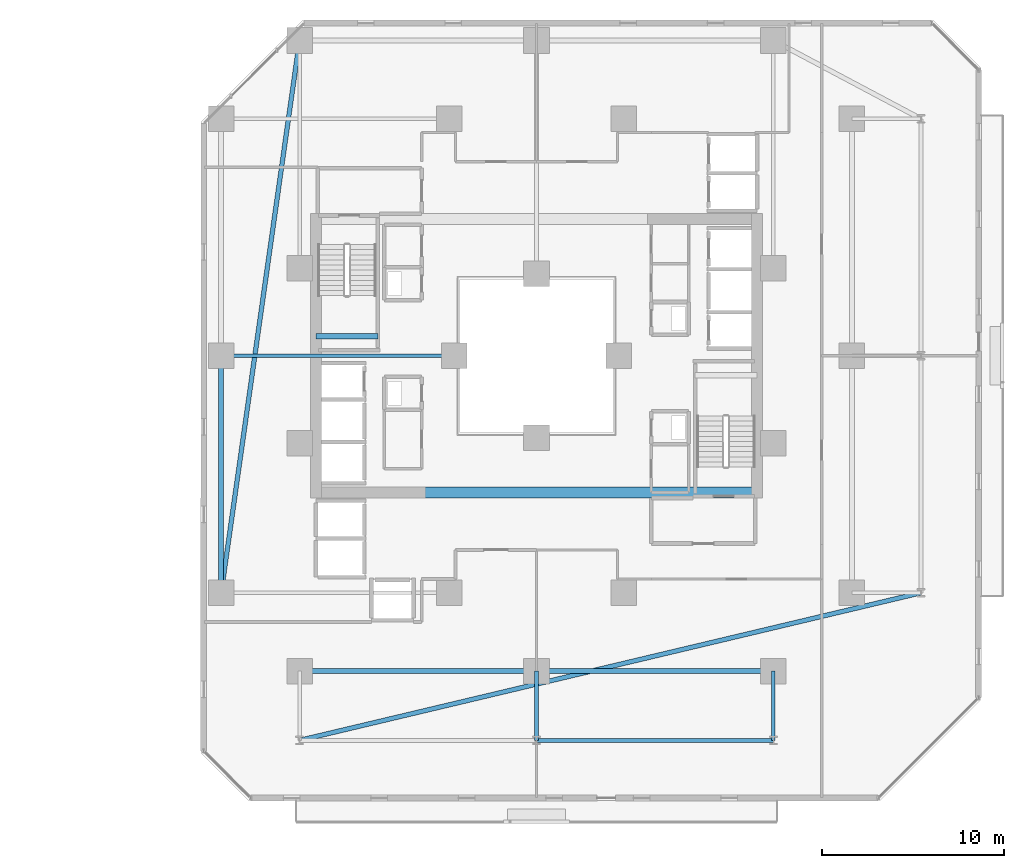
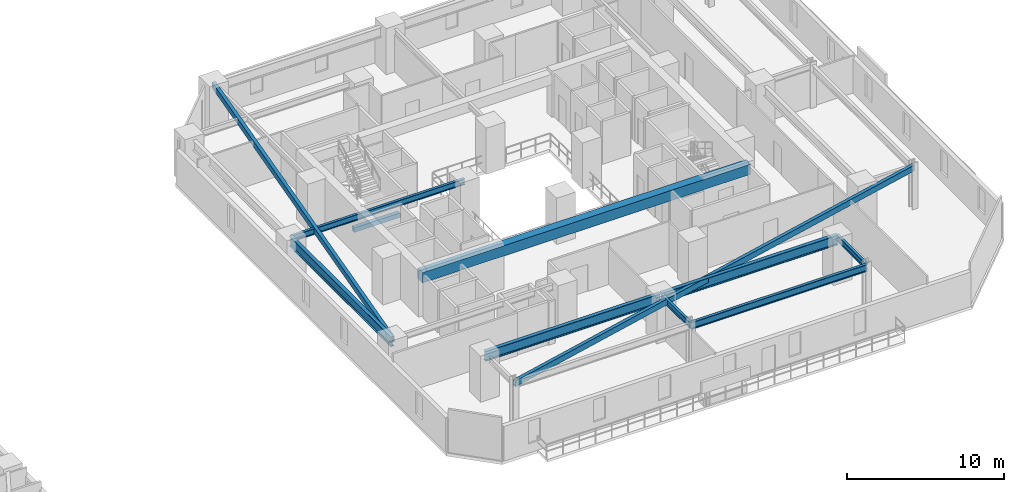
# One storey, part 11 of 33: 11 beams.
"""IFC4 building model written with IfcOpenShell, lengths in metres."""

import ifcopenshell
import ifcopenshell.guid

model = None  # the IFC model being written
_history = None  # IfcOwnerHistory: only IFC2X3 demands one
_inside = {}  # id of a spatial element -> (the spatial element, [elements in it])
_under = {}  # id of a project, library or spatial element -> (it, [spatial elements below it])
_declared = {}  # id of a project -> (the project, [libraries it declares])
_typed = {}  # id of a type object -> (the type object, [elements of that type])
_made_of = {}  # id of a material, layer set ... -> (it, [elements and type objects made of it])


def new_model(schema):
    """Start an empty IFC model of exactly this schema.

    Asked for "IFC4X3", IfcOpenShell would pick the latest addendum, in which some entities
    have other attributes; the version numbers below select the first issue.
    IFC2X3 requires an IfcOwnerHistory on every rooted entity: one is made here for all.
    """
    global model, _history
    if schema == "IFC4X3":
        model = ifcopenshell.file(schema_version=(4, 3, 0, 0))
    else:
        model = ifcopenshell.file(schema=schema)
    _inside.clear()
    _under.clear()
    _declared.clear()
    _typed.clear()
    _made_of.clear()
    _history = None
    if model.schema == "IFC2X3":
        org = make("IfcOrganization", Name="unknown")
        user = make(
            "IfcPersonAndOrganization",
            ThePerson=make("IfcPerson", FamilyName="unknown"),
            TheOrganization=org,
        )
        app = make(
            "IfcApplication",
            ApplicationDeveloper=org,
            Version="unknown",
            ApplicationFullName="unknown",
            ApplicationIdentifier="unknown",
        )
        _history = make(
            "IfcOwnerHistory",
            OwningUser=user,
            OwningApplication=app,
            ChangeAction="ADDED",
            CreationDate=0,
        )
    return model


def make(cls, **values):
    """One entity of the class cls with the attributes given. An attribute that is None is left unset."""
    return model.create_entity(
        cls, **{name: value for name, value in values.items() if value is not None}
    )


def rooted(cls, **values):
    """An entity with a GlobalId (a new one), such as an element, a storey or a relation."""
    return make(cls, GlobalId=ifcopenshell.guid.new(), OwnerHistory=_history, **values)


def si_unit(unit_type, name, prefix=None):
    """IfcSIUnit, for example si_unit("LENGTHUNIT", "METRE", prefix="MILLI")."""
    return make("IfcSIUnit", UnitType=unit_type, Prefix=prefix, Name=name)


def assignment(units):
    """IfcUnitAssignment: the units of a project."""
    return None if units is None else make("IfcUnitAssignment", Units=units)


def point(xyz):
    """IfcCartesianPoint."""
    return None if xyz is None else make("IfcCartesianPoint", Coordinates=xyz)


def direction(xyz):
    """IfcDirection."""
    return None if xyz is None else make("IfcDirection", DirectionRatios=xyz)


def frame(location, z_axis=None, x_axis=None):
    """IfcAxis2Placement3D, a coordinate frame: its origin and axes. An axis left out is left unset."""
    return make(
        "IfcAxis2Placement3D",
        Location=point(location),
        Axis=direction(z_axis),
        RefDirection=direction(x_axis),
    )


def frame_2d(location, x_axis=None):
    """IfcAxis2Placement2D, a coordinate frame in the plane: its origin and x axis."""
    return make(
        "IfcAxis2Placement2D", Location=point(location), RefDirection=direction(x_axis)
    )


def origin():
    """The frame at (0, 0, 0) with its axes left unset."""
    return frame((0.0, 0.0, 0.0))


def origin_2d():
    """The frame at (0, 0) in the plane with its x axis left unset."""
    return frame_2d((0.0, 0.0))


def place(relative_to, where):
    """IfcLocalPlacement: puts the frame where relative to a parent placement (None: the world)."""
    return make(
        "IfcLocalPlacement", PlacementRelTo=relative_to, RelativePlacement=where
    )


def context(
    kind, dimensions, precision=None, world=None, true_north=None, identifier=None
):
    """IfcGeometricRepresentationContext, for example the 3D "Model" context."""
    return make(
        "IfcGeometricRepresentationContext",
        ContextIdentifier=identifier,
        ContextType=kind,
        CoordinateSpaceDimension=dimensions,
        Precision=precision,
        WorldCoordinateSystem=world,
        TrueNorth=true_north,
    )


def subcontext(parent, identifier, kind, view, scale=None):
    """IfcGeometricRepresentationSubContext, for example "Body" below "Model"."""
    return make(
        "IfcGeometricRepresentationSubContext",
        ContextIdentifier=identifier,
        ContextType=kind,
        ParentContext=parent,
        TargetScale=scale,
        TargetView=view,
    )


def project(units=None, contexts=None):
    """IfcProject with its units and contexts."""
    return rooted(
        "IfcProject",
        Name="project",
        RepresentationContexts=contexts,
        UnitsInContext=assignment(units),
    )


def spatial(cls, under=None, at=None, **own):
    """A site, building, storey or space (cls), placed at a placement, below another one or the project."""
    s = rooted(cls, ObjectPlacement=at, **own)
    if under is not None:
        _under.setdefault(under.id(), (under, []))[1].append(s)
    return s


def profile(cls, at=None, kind="AREA", **sizes):
    """A parametric profile (cls). Its sizes go by their IFC names, for example OverallWidth=200.0."""
    return make(cls, ProfileType=kind, Position=at, **sizes)


def rectangle(**sizes):
    """IfcRectangleProfileDef."""
    return profile("IfcRectangleProfileDef", **sizes)


def hollow_rectangle(**sizes):
    """IfcRectangleHollowProfileDef."""
    return profile("IfcRectangleHollowProfileDef", **sizes)


def i_section(**sizes):
    """IfcIShapeProfileDef."""
    return profile("IfcIShapeProfileDef", **sizes)


def extrude(swept, where, along, depth):
    """IfcExtrudedAreaSolid: the profile swept, set in the frame where, extruded along a direction by depth."""
    return make(
        "IfcExtrudedAreaSolid",
        SweptArea=swept,
        Position=where,
        ExtrudedDirection=direction(along),
        Depth=depth,
    )


def shape(context_of_items, identifier, shape_type, items):
    """IfcShapeRepresentation: the items that make up one representation, for example the "Body"."""
    return make(
        "IfcShapeRepresentation",
        ContextOfItems=context_of_items,
        RepresentationIdentifier=identifier,
        RepresentationType=shape_type,
        Items=items,
    )


def material(Name=None, Category=None):
    """IfcMaterial."""
    return make("IfcMaterial", Name=Name, Category=Category)


def material_profile(
    of_material, cross_section, Name=None, Category=None, Priority=None
):
    """IfcMaterialProfile: a cross section and its material."""
    return make(
        "IfcMaterialProfile",
        Name=Name,
        Material=of_material,
        Profile=cross_section,
        Priority=Priority,
        Category=Category,
    )


def profile_set(profiles, Name=None, composite=None):
    """IfcMaterialProfileSet."""
    return make(
        "IfcMaterialProfileSet",
        Name=Name,
        MaterialProfiles=profiles,
        CompositeProfile=composite,
    )


def made_of(thing, what):
    """Note that an element or type object is made of a material, layer set ...; save() writes the relation."""
    if what is not None:
        _made_of.setdefault(what.id(), (what, []))[1].append(thing)
    return thing


def type_object(cls, material=None, **own):
    """A type object (cls), such as IfcWallType, which elements share."""
    return made_of(rooted(cls, **own), material)


def element(
    cls,
    number,
    at=None,
    inside=None,
    cuts=None,
    type_object=None,
    material=None,
    context=None,
    identifier="Body",
    shape_type=None,
    held_by="IfcProductDefinitionShape",
    body=None,
    shapes=None,
    **own,
):
    """One element of the class cls, such as IfcWall. Its Tag is "e" and its number.

    at: its placement. inside: the storey or other place that contains it. cuts: it is an
    opening in that element (IfcRelVoidsElement). A single representation is given by context,
    identifier, shape_type and body (its items); several are given by shapes. held_by: the class
    of the entity that holds the representations. save() writes the other relations.
    """
    e = rooted(cls, Tag="e%d" % number, ObjectPlacement=at, **own)
    if body is not None:
        shapes = [shape(context, identifier, shape_type, body)]
    if shapes is not None:
        e.Representation = make(held_by, Representations=shapes)
    if inside is not None:
        _inside.setdefault(inside.id(), (inside, []))[1].append(e)
    if cuts is not None:
        rooted(
            "IfcRelVoidsElement", RelatingBuildingElement=cuts, RelatedOpeningElement=e
        )
    if type_object is not None:
        _typed.setdefault(type_object.id(), (type_object, []))[1].append(e)
    return made_of(e, material)


def aggregate(whole, parts):
    """IfcRelAggregates: a whole, such as a stair, and the parts it consists of."""
    return rooted("IfcRelAggregates", RelatingObject=whole, RelatedObjects=parts)


def save(model, path):
    """Write the relations noted so far, then the file.

    IfcRelAggregates (storeys below a building ...), IfcRelContainedInSpatialStructure (elements
    in a storey), IfcRelDefinesByType, IfcRelAssociatesMaterial and IfcRelDeclares: one each for
    every whole, place, type object, material and project.
    """
    for whole, parts in _under.values():
        aggregate(whole, parts)
    for where, things in _inside.values():
        rooted(
            "IfcRelContainedInSpatialStructure",
            RelatedElements=things,
            RelatingStructure=where,
        )
    for kind, things in _typed.values():
        rooted("IfcRelDefinesByType", RelatedObjects=things, RelatingType=kind)
    for what, things in _made_of.values():
        rooted("IfcRelAssociatesMaterial", RelatedObjects=things, RelatingMaterial=what)
    for by, libraries in _declared.values():
        rooted("IfcRelDeclares", RelatingContext=by, RelatedDefinitions=libraries)
    model.write(path)


model = new_model("IFC4")

# Units and contexts
model_context = context("Model", 3, precision=1e-05, world=origin(), true_north=direction((0.0, 1.0)))
body_context = subcontext(model_context, "Body", "Model", "MODEL_VIEW")
ifc_project = project(units=[si_unit("LENGTHUNIT", "METRE"), si_unit("AREAUNIT", "SQUARE_METRE"), si_unit("VOLUMEUNIT", "CUBIC_METRE"), si_unit("PLANEANGLEUNIT", "RADIAN"), si_unit("MASSUNIT", "GRAM", prefix="KILO")], contexts=[model_context])

# Site, building, storey
site_placement = place(None, origin())
site = spatial("IfcSite", under=ifc_project, at=site_placement, CompositionType="ELEMENT")
building_placement = place(site_placement, origin())
building = spatial("IfcBuilding", under=site, at=building_placement, Name="Thornwick Lancets Civic Towers", CompositionType="ELEMENT")
storey_placement = place(building_placement, frame((0.0, 0.0, 35.10009765625)))
storey = spatial("IfcBuildingStorey", under=building, at=storey_placement, Name="L08", CompositionType="ELEMENT", Elevation=35.10009765625)

# Beams
ifc_material_1 = material(Name="Concrete C60/75", Category="concrete")
ifc_material_profile_1 = material_profile(ifc_material_1, rectangle(XDim=0.60009765625, YDim=0.800048828125, at=origin_2d()), Name="RC 600x800")
ifc_profile_set_1 = profile_set([ifc_material_profile_1], Name="Concrete C60/75")
beam_type_1 = type_object("IfcBeamType", Name="BM_COUP_RC800", PredefinedType="BEAM", material=ifc_profile_set_1)
beam_1_placement = place(storey_placement, frame((76.39990234375, 19.5, 2.9599609375), z_axis=(1.0, 0.0, 0.0), x_axis=(0.0, 1.0, 0.0)))
element("IfcBeam", 1, at=beam_1_placement, inside=storey, type_object=beam_type_1, Name="CB-L08-B2", PredefinedType="BEAM", context=body_context, shape_type="SweptSolid", body=[
    extrude(rectangle(XDim=0.60009765625, YDim=0.800048828125, at=origin_2d()), origin(), (0.0, 0.0, 1.0), 24.2001953125),
])
ifc_material_2 = material(Name="Steel S355JR", Category="steel")
ifc_material_profile_2 = material_profile(ifc_material_2, i_section(OverallWidth=0.2119140625, OverallDepth=0.54443359375, WebThickness=0.0126953125, FlangeThickness=0.021240234375, FilletRadius=0.0126953125, at=origin_2d()), Name="UKB 533x210x122")
ifc_profile_set_2 = profile_set([ifc_material_profile_2], Name="Steel S355JR")
beam_type_2 = type_object("IfcBeamType", Name="BM_EDGE_533_122", PredefinedType="SPANDREL", material=ifc_profile_set_2)
beam_2_placement = place(storey_placement, frame((101.5, 5.89990234375, 3.087646484375), z_axis=(-1.0, 0.0, 0.0), x_axis=(0.0, -1.0, 0.0)))
element("IfcBeam", 2, at=beam_2_placement, inside=storey, type_object=beam_type_2, Name="BM-EDGE-L08-B-S3-1", PredefinedType="SPANDREL", context=body_context, shape_type="SweptSolid", body=[
    extrude(i_section(OverallWidth=0.2119140625, OverallDepth=0.54443359375, WebThickness=0.0126953125, FlangeThickness=0.021240234375, FilletRadius=0.0126953125, at=origin_2d()), origin(), (0.0, 0.0, 1.0), 13.0),
])
ifc_material_profile_3 = material_profile(ifc_material_2, i_section(OverallWidth=0.26806640625, OverallDepth=0.769775390625, WebThickness=0.015625, FlangeThickness=0.025390625, FilletRadius=0.0166015625, at=origin_2d()), Name="UKB 762x267x197")
ifc_profile_set_3 = profile_set([ifc_material_profile_3], Name="Steel S355JR")
beam_type_3 = type_object("IfcBeamType", Name="BM_GIRD_762_197", PredefinedType="BEAM", material=ifc_profile_set_3)
for number, where, z_axis, x_axis, name in (
    (3, (71.199951171875, 14.0, 2.97509765625), (0.0, 1.0, 0.0), (-1.0, 0.0, 0.0), "BM-SPINE-L08-B-6-7"),
    (4, (101.5, 9.699951171875, 2.97509765625), (-1.0, 0.0, 0.0), (0.0, -1.0, 0.0), "BM-SPINE-L08-B-9-10"),
):
    element("IfcBeam", number, at=place(storey_placement, frame(where, z_axis=z_axis, x_axis=x_axis)), inside=storey, type_object=beam_type_3, Name=name, PredefinedType="BEAM", context=body_context, shape_type="SweptSolid", body=[
        extrude(i_section(OverallWidth=0.26806640625, OverallDepth=0.769775390625, WebThickness=0.015625, FlangeThickness=0.025390625, FilletRadius=0.0166015625, at=origin_2d()), origin(), (0.0, 0.0, 1.0), 13.0),
    ])
beam_3_placement = place(storey_placement, frame((88.419921875, 9.699951171875, 2.97509765625), z_axis=(-1.0, 0.0, 0.0), x_axis=(0.0, -1.0, 0.0)))
element("IfcBeam", 5, at=beam_3_placement, inside=storey, type_object=beam_type_3, Name="BM-SPINE-L08-B-10-11", PredefinedType="BEAM", context=body_context, shape_type="SweptSolid", body=[
    extrude(i_section(OverallWidth=0.26806640625, OverallDepth=0.769775390625, WebThickness=0.015625, FlangeThickness=0.025390625, FilletRadius=0.0166015625, at=origin_2d()), origin(), (0.0, 0.0, 1.0), 12.919921875),
])
ifc_material_profile_4 = material_profile(ifc_material_2, i_section(OverallWidth=0.19287109375, OverallDepth=0.46728515625, WebThickness=0.011474609375, FlangeThickness=0.01953125, FilletRadius=0.01025390625, at=origin_2d()), Name="UKB 457x191x98")
ifc_profile_set_4 = profile_set([ifc_material_profile_4], Name="Steel S355JR")
beam_type_4 = type_object("IfcBeamType", Name="BM_JOIST_457_98", PredefinedType="JOIST", material=ifc_profile_set_4)
beam_4_placement = place(storey_placement, frame((84.0, 27.0, 3.126220703125), z_axis=(-1.0, 0.0, 0.0), x_axis=(0.0, -1.0, 0.0)))
element("IfcBeam", 6, at=beam_4_placement, inside=storey, type_object=beam_type_4, Name="BM-RADIN-L08-B08", PredefinedType="JOIST", context=body_context, shape_type="SweptSolid", body=[
    extrude(i_section(OverallWidth=0.19287109375, OverallDepth=0.46728515625, WebThickness=0.011474609375, FlangeThickness=0.01953125, FilletRadius=0.01025390625, at=origin_2d()), origin(), (0.0, 0.0, 1.0), 12.800048828125),
])
for number, where, z_axis, x_axis, name in (
    (7, (101.5, 9.699951171875, 3.126220703125), (0.0, -1.0, 0.0), (1.0, 0.0, 0.0), "BM-RAD-L08-B10"),
    (8, (88.5, 9.699951171875, 3.126220703125), (0.0, -1.0, 0.0), (1.0, 0.0, 0.0), "BM-RAD-L08-B11"),
):
    element("IfcBeam", number, at=place(storey_placement, frame(where, z_axis=z_axis, x_axis=x_axis)), inside=storey, type_object=beam_type_4, Name=name, PredefinedType="JOIST", context=body_context, shape_type="SweptSolid", body=[
        extrude(i_section(OverallWidth=0.19287109375, OverallDepth=0.46728515625, WebThickness=0.011474609375, FlangeThickness=0.01953125, FilletRadius=0.01025390625, at=origin_2d()), origin(), (0.0, 0.0, 1.0), 3.800048828125),
    ])
ifc_material_profile_5 = material_profile(ifc_material_2, hollow_rectangle(XDim=0.25, YDim=0.449951171875, WallThickness=0.01611328125, at=origin_2d()), Name="RHS 450x250x16")
ifc_profile_set_5 = profile_set([ifc_material_profile_5], Name="Steel S355JR")
beam_type_5 = type_object("IfcBeamType", Name="BM_RING_RHS450", PredefinedType="BEAM", material=ifc_profile_set_5)
beam_5_placement = place(storey_placement, frame((75.5, 44.300048828125, 3.135009765625), z_axis=(-0.140507712682, -0.990079584012, 0.0), x_axis=(0.990079584012, -0.140507712682, 0.0)))
element("IfcBeam", 9, at=beam_5_placement, inside=storey, type_object=beam_type_5, Name="BM-CHAMF-L08-B-C1", PredefinedType="BEAM", context=body_context, shape_type="SweptSolid", body=[
    extrude(hollow_rectangle(XDim=0.25, YDim=0.449951171875, WallThickness=0.01611328125, at=origin_2d()), origin(), (0.0, 0.0, 1.0), 30.603759765625),
])
beam_6_placement = place(storey_placement, frame((75.5, 5.89990234375, 3.135009765625), z_axis=(0.972928054394, 0.231108201875, 0.0), x_axis=(-0.231108201875, 0.972928054394, 0.0)))
element("IfcBeam", 10, at=beam_6_placement, inside=storey, type_object=beam_type_5, Name="BM-CHAMF-L08-B-C3", PredefinedType="BEAM", context=body_context, shape_type="SweptSolid", body=[
    extrude(hollow_rectangle(XDim=0.25, YDim=0.449951171875, WallThickness=0.01611328125, at=origin_2d()), origin(), (0.0, 0.0, 1.0), 35.048828125),
])
ifc_material_3 = material(Name="Concrete C40/50", Category="concrete")
ifc_material_profile_6 = material_profile(ifc_material_3, rectangle(XDim=0.300048828125, YDim=0.35009765625, at=origin_2d()), Name="RC 300x350")
ifc_profile_set_6 = profile_set([ifc_material_profile_6], Name="Concrete C40/50")
beam_type_6 = type_object("IfcBeamType", Name="BM_STAIR_LDG", PredefinedType="BEAM", material=ifc_profile_set_6)
beam_7_placement = place(storey_placement, frame((76.39990234375, 28.06494140625, 1.3779296875), z_axis=(1.0, 0.0, 0.0), x_axis=(0.0, 1.0, 0.0)))
element("IfcBeam", 11, at=beam_7_placement, inside=storey, type_object=beam_type_6, Name="L08 ST-B2 Landing Support Beam 1", PredefinedType="BEAM", context=body_context, shape_type="SweptSolid", body=[
    extrude(rectangle(XDim=0.300048828125, YDim=0.35009765625, at=origin_2d()), origin(), (0.0, 0.0, 1.0), 3.400146484375),
])

save(model, "model.ifc")
